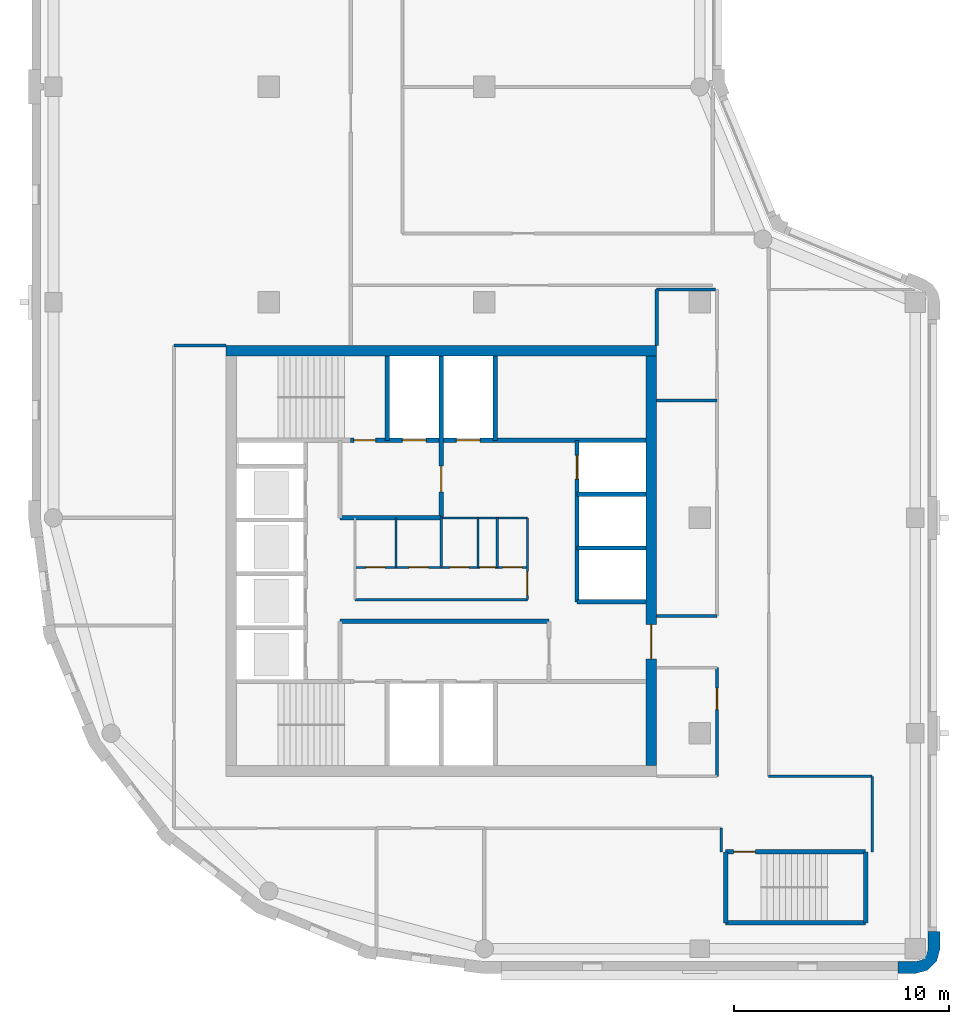
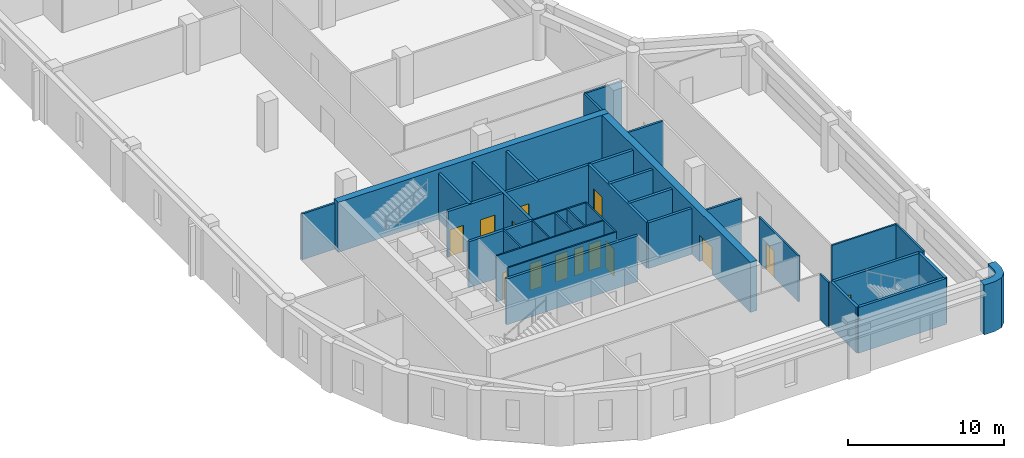
# One storey, part 3 of 8: 34 walls, 14 doors, 14 openings.
"""IFC4 building model written with IfcOpenShell, lengths in metres."""

from ifc_helpers import new_model, si_unit, direction, frame, frame_2d, origin, place, context, subcontext, project, spatial, polyline, rectangle, outline, extrude, material, layer, layer_set, type_object, element, fill, save


model = new_model("IFC4")

# Units and contexts
model_context = context("Model", 3, precision=1e-05, world=origin(), true_north=direction((0.0, 1.0)))
body_context = subcontext(model_context, "Body", "Model", "MODEL_VIEW")
ifc_project = project(units=[si_unit("LENGTHUNIT", "METRE"), si_unit("AREAUNIT", "SQUARE_METRE"), si_unit("VOLUMEUNIT", "CUBIC_METRE"), si_unit("PLANEANGLEUNIT", "RADIAN"), si_unit("MASSUNIT", "GRAM", prefix="KILO")], contexts=[model_context])

# Site, building, storey
site_placement = place(None, origin())
site = spatial("IfcSite", under=ifc_project, at=site_placement, CompositionType="ELEMENT")
building_placement = place(site_placement, origin())
building = spatial("IfcBuilding", under=site, at=building_placement, Name="Qaws Garden Tower", CompositionType="ELEMENT")
storey_placement = place(building_placement, frame((0.0, 0.0, 302.10009765625)))
storey = spatial("IfcBuildingStorey", under=building, at=storey_placement, Name="L73", CompositionType="ELEMENT", Elevation=302.10009765625)

# Walls
ifc_material_1 = material(Name="Clay facing brick masonry", Category="masonry")
ifc_layer_1 = layer(ifc_material_1, 0.550048828125)
ifc_layer_set_1 = layer_set([ifc_layer_1], Name="Clay facing brick masonry")
wall_type_1 = type_object("IfcWallType", Name="Brick corner pier 550 x 2400", PredefinedType="SOLIDWALL", material=ifc_layer_set_1)
wall_1_placement = place(storey_placement, origin())
element("IfcWall", 1, at=wall_1_placement, inside=storey, type_object=wall_type_1, Name="E-L73-pier-02", PredefinedType="SOLIDWALL", context=body_context, shape_type="SweptSolid", body=[
    extrude(outline(polyline([(39.199951171875, -1.0), (39.199951171875, -1.14990234375), (40.0, -1.14990234375), (40.574951171875, -0.995849609375), (40.995849609375, -0.574951171875), (41.14990234375, 0.0), (41.14990234375, 0.800048828125), (41.0, 0.800048828125), (40.60009765625, 0.800048828125), (40.60009765625, 0.0), (40.51953125, -0.300048828125), (40.300048828125, -0.51953125), (40.0, -0.60009765625), (39.199951171875, -0.60009765625), (39.199951171875, -1.0)])), origin(), (0.0, 0.0, 1.0), 3.89990234375),
])
ifc_material_2 = material(Name="Plasterboard")
ifc_layer_2 = layer(ifc_material_2, 0.10009765625)
ifc_layer_set_2 = layer_set([ifc_layer_2], Name="Plasterboard")
wall_type_2 = type_object("IfcWallType", Name="Core partition 100", PredefinedType="PARTITIONING", material=ifc_layer_set_2)
wall_2_placement = place(storey_placement, frame((14.0, 16.199951171875, 0.0), z_axis=(0.0, 0.0, 1.0), x_axis=(1.0, 0.0, 0.0)))
element("IfcWall", 2, at=wall_2_placement, inside=storey, type_object=wall_type_2, Name="Core partition", PredefinedType="PARTITIONING", context=body_context, shape_type="SweptSolid", body=[
    extrude(rectangle(XDim=8.0, YDim=0.10009765625, at=frame_2d((4.0, 0.0))), origin(), (0.0, 0.0, 1.0), 3.579833984375),
])

# Wall, openings, doors
wall_3_placement = place(storey_placement, frame((14.0, 17.699951171875, 0.0), z_axis=(0.0, 0.0, 1.0), x_axis=(1.0, 0.0, 0.0)))
wall_3 = element("IfcWall", 3, at=wall_3_placement, inside=storey, type_object=wall_type_2, Name="Core partition", PredefinedType="PARTITIONING", context=body_context, shape_type="SweptSolid", body=[
    extrude(rectangle(XDim=8.0, YDim=0.10009765625, at=frame_2d((4.0, 0.0))), origin(), (0.0, 0.0, 1.0), 3.579833984375),
])
opening_1_placement = place(wall_3_placement, frame((0.5, 0.0, 0.0)))
opening_1 = element("IfcOpeningElement", 4, at=opening_1_placement, cuts=wall_3, Name="Opening WD18", PredefinedType="OPENING", context=body_context, shape_type="SweptSolid", body=[
    extrude(rectangle(XDim=0.89990234375, YDim=2.10009765625, at=frame_2d((0.449951171875, 1.050048828125))), frame((0.0, 0.06005859375, 0.0), z_axis=(0.0, -1.0, 0.0), x_axis=(1.0, 0.0, 0.0)), (0.0, 0.0, 1.0), 0.1201171875),
])
opening_2_placement = place(wall_3_placement, frame((2.5, 0.0, 0.0)))
opening_2 = element("IfcOpeningElement", 5, at=opening_2_placement, cuts=wall_3, Name="Opening WD19", PredefinedType="OPENING", context=body_context, shape_type="SweptSolid", body=[
    extrude(rectangle(XDim=0.89990234375, YDim=2.10009765625, at=frame_2d((0.449951171875, 1.050048828125))), frame((0.0, 0.06005859375, 0.0), z_axis=(0.0, -1.0, 0.0), x_axis=(1.0, 0.0, 0.0)), (0.0, 0.0, 1.0), 0.1201171875),
])
opening_3_placement = place(wall_3_placement, frame((4.39990234375, 0.0, 0.0)))
opening_3 = element("IfcOpeningElement", 6, at=opening_3_placement, cuts=wall_3, Name="Opening WD20", PredefinedType="OPENING", context=body_context, shape_type="SweptSolid", body=[
    extrude(rectangle(XDim=0.89990234375, YDim=2.10009765625, at=frame_2d((0.449951171875, 1.050048828125))), frame((0.0, 0.06005859375, 0.0), z_axis=(0.0, -1.0, 0.0), x_axis=(1.0, 0.0, 0.0)), (0.0, 0.0, 1.0), 0.1201171875),
])
opening_4_placement = place(wall_3_placement, frame((5.800048828125, 0.0, 0.0)))
opening_4 = element("IfcOpeningElement", 7, at=opening_4_placement, cuts=wall_3, Name="Opening XD21", PredefinedType="OPENING", context=body_context, shape_type="SweptSolid", body=[
    extrude(rectangle(XDim=0.699951171875, YDim=2.10009765625, at=frame_2d((0.35009765625, 1.050048828125))), frame((0.0, 0.06005859375, 0.0), z_axis=(0.0, -1.0, 0.0), x_axis=(1.0, 0.0, 0.0)), (0.0, 0.0, 1.0), 0.1201171875),
])
opening_5_placement = place(wall_3_placement, frame((6.85009765625, 0.0, 0.0)))
opening_5 = element("IfcOpeningElement", 8, at=opening_5_placement, cuts=wall_3, Name="Opening WD22", PredefinedType="OPENING", context=body_context, shape_type="SweptSolid", body=[
    extrude(rectangle(XDim=0.89990234375, YDim=2.10009765625, at=frame_2d((0.449951171875, 1.050048828125))), frame((0.0, 0.06005859375, 0.0), z_axis=(0.0, -1.0, 0.0), x_axis=(1.0, 0.0, 0.0)), (0.0, 0.0, 1.0), 0.1201171875),
])
ifc_material_3 = material(Name="Timber", Category="wood")
door_type_1 = type_object("IfcDoorType", Name="Store door 700x2100", OperationType="SINGLE_SWING_LEFT", PredefinedType="DOOR", material=ifc_material_3)
door_1_placement = place(opening_4_placement, origin())
door_1 = element("IfcDoor", 9, at=door_1_placement, inside=storey, type_object=door_type_1, Name="Cleaner's store door", OperationType="SINGLE_SWING_RIGHT", OverallHeight=2.10009765625, OverallWidth=0.699951171875, PredefinedType="DOOR", context=body_context, shape_type="SweptSolid", body=[
    extrude(rectangle(XDim=0.699951171875, YDim=2.10009765625, at=frame_2d((0.35009765625, 1.050048828125))), frame((0.0, 0.02490234375, 0.0), z_axis=(0.0, -1.0, 0.0), x_axis=(1.0, 0.0, 0.0)), (0.0, 0.0, 1.0), 0.050048828125),
])
fill(opening_4, door_1)
ifc_material_4 = material(Name="Timber", Category="wood")
door_type_2 = type_object("IfcDoorType", Name="WC door 900x2100", OperationType="SINGLE_SWING_LEFT", PredefinedType="DOOR", material=ifc_material_4)
door_2_placement = place(opening_1_placement, origin())
door_2 = element("IfcDoor", 10, at=door_2_placement, inside=storey, type_object=door_type_2, Name="Men's WC door", OperationType="SINGLE_SWING_RIGHT", OverallHeight=2.10009765625, OverallWidth=0.89990234375, PredefinedType="DOOR", context=body_context, shape_type="SweptSolid", body=[
    extrude(rectangle(XDim=0.89990234375, YDim=2.10009765625, at=frame_2d((0.449951171875, 1.050048828125))), frame((0.0, 0.02490234375, 0.0), z_axis=(0.0, -1.0, 0.0), x_axis=(1.0, 0.0, 0.0)), (0.0, 0.0, 1.0), 0.050048828125),
])
fill(opening_1, door_2)
door_3_placement = place(opening_2_placement, origin())
door_3 = element("IfcDoor", 11, at=door_3_placement, inside=storey, type_object=door_type_2, Name="Women's WC door", OperationType="SINGLE_SWING_RIGHT", OverallHeight=2.10009765625, OverallWidth=0.89990234375, PredefinedType="DOOR", context=body_context, shape_type="SweptSolid", body=[
    extrude(rectangle(XDim=0.89990234375, YDim=2.10009765625, at=frame_2d((0.449951171875, 1.050048828125))), frame((0.0, 0.02490234375, 0.0), z_axis=(0.0, -1.0, 0.0), x_axis=(1.0, 0.0, 0.0)), (0.0, 0.0, 1.0), 0.050048828125),
])
fill(opening_2, door_3)
door_4_placement = place(opening_3_placement, origin())
door_4 = element("IfcDoor", 12, at=door_4_placement, inside=storey, type_object=door_type_2, Name="Accessible WC door", OperationType="SINGLE_SWING_RIGHT", OverallHeight=2.10009765625, OverallWidth=0.89990234375, PredefinedType="DOOR", context=body_context, shape_type="SweptSolid", body=[
    extrude(rectangle(XDim=0.89990234375, YDim=2.10009765625, at=frame_2d((0.449951171875, 1.050048828125))), frame((0.0, 0.02490234375, 0.0), z_axis=(0.0, -1.0, 0.0), x_axis=(1.0, 0.0, 0.0)), (0.0, 0.0, 1.0), 0.050048828125),
])
fill(opening_3, door_4)
door_5_placement = place(opening_5_placement, origin())
door_5 = element("IfcDoor", 13, at=door_5_placement, inside=storey, type_object=door_type_2, Name="Linen store door", OperationType="SINGLE_SWING_RIGHT", OverallHeight=2.10009765625, OverallWidth=0.89990234375, PredefinedType="DOOR", context=body_context, shape_type="SweptSolid", body=[
    extrude(rectangle(XDim=0.89990234375, YDim=2.10009765625, at=frame_2d((0.449951171875, 1.050048828125))), frame((0.0, 0.02490234375, 0.0), z_axis=(0.0, -1.0, 0.0), x_axis=(1.0, 0.0, 0.0)), (0.0, 0.0, 1.0), 0.050048828125),
])
fill(opening_5, door_5)

# Walls
wall_4_placement = place(storey_placement, frame((18.0, 20.0, 0.0), z_axis=(0.0, 0.0, 1.0), x_axis=(1.0, 0.0, 0.0)))
element("IfcWall", 14, at=wall_4_placement, inside=storey, type_object=wall_type_2, Name="Core partition", PredefinedType="PARTITIONING", context=body_context, shape_type="SweptSolid", body=[
    extrude(rectangle(XDim=4.0, YDim=0.10009765625, at=frame_2d((2.0, 0.0))), origin(), (0.0, 0.0, 1.0), 3.579833984375),
])
for number, where, z_axis, x_axis, name in (
    (15, (15.89990234375, 17.699951171875, 0.0), (0.0, 0.0, 1.0), (0.0, 1.0, 0.0), "Core partition"),
    (16, (18.0, 17.699951171875, 0.0), (0.0, 0.0, 1.0), (0.0, 1.0, 0.0), "Core partition"),
    (17, (19.699951171875, 17.699951171875, 0.0), (0.0, 0.0, 1.0), (0.0, 1.0, 0.0), "Core partition"),
    (18, (20.60009765625, 17.699951171875, 0.0), (0.0, 0.0, 1.0), (0.0, 1.0, 0.0), "Core partition"),
):
    element("IfcWall", number, at=place(storey_placement, frame(where, z_axis=z_axis, x_axis=x_axis)), inside=storey, type_object=wall_type_2, Name=name, PredefinedType="PARTITIONING", context=body_context, shape_type="SweptSolid", body=[
        extrude(rectangle(XDim=2.300048828125, YDim=0.10009765625, at=frame_2d((1.14990234375, 0.0))), origin(), (0.0, 0.0, 1.0), 3.579833984375),
    ])

# Wall, opening, door
wall_5_placement = place(storey_placement, frame((22.0, 16.199951171875, 0.0), z_axis=(0.0, 0.0, 1.0), x_axis=(0.0, 1.0, 0.0)))
wall_5 = element("IfcWall", 19, at=wall_5_placement, inside=storey, type_object=wall_type_2, Name="Core partition", PredefinedType="PARTITIONING", context=body_context, shape_type="SweptSolid", body=[
    extrude(rectangle(XDim=3.800048828125, YDim=0.10009765625, at=frame_2d((1.89990234375, 0.0))), origin(), (0.0, 0.0, 1.0), 3.579833984375),
])
opening_6_placement = place(wall_5_placement, frame((0.199951171875, 0.0, 0.0)))
opening_6 = element("IfcOpeningElement", 20, at=opening_6_placement, cuts=wall_5, Name="Opening WL17", PredefinedType="OPENING", context=body_context, shape_type="SweptSolid", body=[
    extrude(rectangle(XDim=1.10009765625, YDim=2.10009765625, at=frame_2d((0.550048828125, 1.050048828125))), frame((0.0, 0.06005859375, 0.0), z_axis=(0.0, -1.0, 0.0), x_axis=(1.0, 0.0, 0.0)), (0.0, 0.0, 1.0), 0.1201171875),
])
ifc_material_5 = material(Name="Timber", Category="wood")
door_type_3 = type_object("IfcDoorType", Name="WC lobby door 1100x2100", OperationType="SINGLE_SWING_LEFT", PredefinedType="DOOR", material=ifc_material_5)
door_6_placement = place(opening_6_placement, origin())
door_6 = element("IfcDoor", 21, at=door_6_placement, inside=storey, type_object=door_type_3, Name="WC lobby door", OperationType="SINGLE_SWING_RIGHT", OverallHeight=2.10009765625, OverallWidth=1.10009765625, PredefinedType="DOOR", context=body_context, shape_type="SweptSolid", body=[
    extrude(rectangle(XDim=1.10009765625, YDim=2.10009765625, at=frame_2d((0.550048828125, 1.050048828125))), frame((0.0, 0.02490234375, 0.0), z_axis=(0.0, -1.0, 0.0), x_axis=(1.0, 0.0, 0.0)), (0.0, 0.0, 1.0), 0.050048828125),
])
fill(opening_6, door_6)

# Wall
ifc_material_6 = material(Name="Concrete C60", Category="concrete")
ifc_layer_3 = layer(ifc_material_6, 0.199951171875)
ifc_layer_set_3 = layer_set([ifc_layer_3], Name="Concrete C60")
wall_type_3 = type_object("IfcWallType", Name="Core shaft wall 200 C60", PredefinedType="SHEAR", material=ifc_layer_set_3)
wall_6_placement = place(storey_placement, frame((31.199951171875, 1.199951171875, 0.0), z_axis=(0.0, 0.0, 1.0), x_axis=(1.0, 0.0, 0.0)))
element("IfcWall", 22, at=wall_6_placement, inside=storey, type_object=wall_type_3, Name="Shaft wall", PredefinedType="SHEAR", context=body_context, shape_type="SweptSolid", body=[
    extrude(rectangle(XDim=6.5, YDim=0.199951171875, at=frame_2d((3.25, 0.0))), origin(), (0.0, 0.0, 1.0), 3.579833984375),
])

# Wall, opening, door
wall_7_placement = place(storey_placement, frame((31.199951171875, 4.5, 0.0), z_axis=(0.0, 0.0, 1.0), x_axis=(1.0, 0.0, 0.0)))
wall_7 = element("IfcWall", 23, at=wall_7_placement, inside=storey, type_object=wall_type_3, Name="Shaft wall", PredefinedType="SHEAR", context=body_context, shape_type="SweptSolid", body=[
    extrude(rectangle(XDim=6.5, YDim=0.199951171875, at=frame_2d((3.25, 0.0))), origin(), (0.0, 0.0, 1.0), 3.579833984375),
])
opening_7_placement = place(wall_7_placement, frame((0.375, 0.0, 0.0)))
opening_7 = element("IfcOpeningElement", 24, at=opening_7_placement, cuts=wall_7, Name="Opening SD12", PredefinedType="OPENING", context=body_context, shape_type="SweptSolid", body=[
    extrude(rectangle(XDim=1.0, YDim=2.10009765625, at=frame_2d((0.5, 1.050048828125))), frame((0.0, 0.10986328125, 0.0), z_axis=(0.0, -1.0, 0.0), x_axis=(1.0, 0.0, 0.0)), (0.0, 0.0, 1.0), 0.219970703125),
])
ifc_material_7 = material(Name="Steel S235", Category="steel")
door_type_4 = type_object("IfcDoorType", Name="Stair door 1000x2100", OperationType="SINGLE_SWING_RIGHT", PredefinedType="DOOR", material=ifc_material_7)
door_7_placement = place(opening_7_placement, frame((1.0, 0.0, 0.0), z_axis=(0.0, 0.0, 1.0), x_axis=(-1.0, 0.0, 0.0)))
door_7 = element("IfcDoor", 25, at=door_7_placement, inside=storey, type_object=door_type_4, Name="Stair 5 door", OperationType="SINGLE_SWING_RIGHT", OverallHeight=2.10009765625, OverallWidth=1.0, PredefinedType="DOOR", context=body_context, shape_type="SweptSolid", body=[
    extrude(rectangle(XDim=1.0, YDim=2.10009765625, at=frame_2d((0.5, 1.050048828125))), frame((0.0, 0.02490234375, 0.0), z_axis=(0.0, -1.0, 0.0), x_axis=(1.0, 0.0, 0.0)), (0.0, 0.0, 1.0), 0.050048828125),
])
fill(opening_7, door_7)

# Walls
wall_8_placement = place(storey_placement, frame((13.300048828125, 15.199951171875, 0.0), z_axis=(0.0, 0.0, 1.0), x_axis=(1.0, 0.0, 0.0)))
element("IfcWall", 26, at=wall_8_placement, inside=storey, type_object=wall_type_3, Name="Shaft wall", PredefinedType="SHEAR", context=body_context, shape_type="SweptSolid", body=[
    extrude(rectangle(XDim=9.699951171875, YDim=0.199951171875, at=frame_2d((4.85009765625, 0.0))), origin(), (0.0, 0.0, 1.0), 3.579833984375),
])
for number, where, z_axis, x_axis, name in (
    (27, (24.300048828125, 16.10009765625, 0.0), (0.0, 0.0, 1.0), (1.0, 0.0, 0.0), "Shaft wall"),
    (28, (24.300048828125, 18.60009765625, 0.0), (0.0, 0.0, 1.0), (1.0, 0.0, 0.0), "Shaft wall"),
):
    element("IfcWall", number, at=place(storey_placement, frame(where, z_axis=z_axis, x_axis=x_axis)), inside=storey, type_object=wall_type_3, Name=name, PredefinedType="SHEAR", context=body_context, shape_type="SweptSolid", body=[
        extrude(rectangle(XDim=3.199951171875, YDim=0.199951171875, at=frame_2d((1.60009765625, 0.0))), origin(), (0.0, 0.0, 1.0), 3.579833984375),
    ])
wall_9_placement = place(storey_placement, frame((13.300048828125, 20.0, 0.0), z_axis=(0.0, 0.0, 1.0), x_axis=(1.0, 0.0, 0.0)))
element("IfcWall", 29, at=wall_9_placement, inside=storey, type_object=wall_type_3, Name="Shaft wall", PredefinedType="SHEAR", context=body_context, shape_type="SweptSolid", body=[
    extrude(rectangle(XDim=4.699951171875, YDim=0.199951171875, at=frame_2d((2.35009765625, 0.0))), origin(), (0.0, 0.0, 1.0), 3.579833984375),
])
wall_10_placement = place(storey_placement, frame((24.300048828125, 21.10009765625, 0.0), z_axis=(0.0, 0.0, 1.0), x_axis=(1.0, 0.0, 0.0)))
element("IfcWall", 30, at=wall_10_placement, inside=storey, type_object=wall_type_3, Name="Shaft wall", PredefinedType="SHEAR", context=body_context, shape_type="SweptSolid", body=[
    extrude(rectangle(XDim=3.199951171875, YDim=0.199951171875, at=frame_2d((1.60009765625, 0.0))), origin(), (0.0, 0.0, 1.0), 3.579833984375),
])

# Wall, openings, doors
wall_11_placement = place(storey_placement, frame((13.800048828125, 23.60009765625, 0.0), z_axis=(0.0, 0.0, 1.0), x_axis=(1.0, 0.0, 0.0)))
wall_11 = element("IfcWall", 31, at=wall_11_placement, inside=storey, type_object=wall_type_3, Name="Shaft wall", PredefinedType="SHEAR", context=body_context, shape_type="SweptSolid", body=[
    extrude(rectangle(XDim=13.699951171875, YDim=0.199951171875, at=frame_2d((6.85009765625, 0.0))), origin(), (0.0, 0.0, 1.0), 3.579833984375),
])
opening_8_placement = place(wall_11_placement, frame((2.39990234375, 0.0, 0.0)))
opening_8 = element("IfcOpeningElement", 32, at=opening_8_placement, cuts=wall_11, Name="Opening LD08", PredefinedType="OPENING", context=body_context, shape_type="SweptSolid", body=[
    extrude(rectangle(XDim=1.10009765625, YDim=2.10009765625, at=frame_2d((0.550048828125, 1.050048828125))), frame((0.0, 0.10986328125, 0.0), z_axis=(0.0, -1.0, 0.0), x_axis=(1.0, 0.0, 0.0)), (0.0, 0.0, 1.0), 0.219970703125),
])
opening_9_placement = place(wall_11_placement, frame((4.89990234375, 0.0, 0.0)))
opening_9 = element("IfcOpeningElement", 33, at=opening_9_placement, cuts=wall_11, Name="Opening LD09", PredefinedType="OPENING", context=body_context, shape_type="SweptSolid", body=[
    extrude(rectangle(XDim=1.10009765625, YDim=2.10009765625, at=frame_2d((0.550048828125, 1.050048828125))), frame((0.0, 0.10986328125, 0.0), z_axis=(0.0, -1.0, 0.0), x_axis=(1.0, 0.0, 0.0)), (0.0, 0.0, 1.0), 0.219970703125),
])
opening_10_placement = place(wall_11_placement, frame((0.14990234375, 0.0, 0.0)))
opening_10 = element("IfcOpeningElement", 34, at=opening_10_placement, cuts=wall_11, Name="Opening SD11", PredefinedType="OPENING", context=body_context, shape_type="SweptSolid", body=[
    extrude(rectangle(XDim=1.0, YDim=2.10009765625, at=frame_2d((0.5, 1.050048828125))), frame((0.0, 0.10986328125, 0.0), z_axis=(0.0, -1.0, 0.0), x_axis=(1.0, 0.0, 0.0)), (0.0, 0.0, 1.0), 0.219970703125),
])
ifc_material_8 = material(Name="Steel S235", Category="steel")
door_type_5 = type_object("IfcDoorType", Name="Landing door 1100x2100", OperationType="DOUBLE_DOOR_SLIDING", PredefinedType="DOOR", material=ifc_material_8)
door_8_placement = place(opening_8_placement, origin())
door_8 = element("IfcDoor", 35, at=door_8_placement, inside=storey, type_object=door_type_5, Name="Lift FF3 landing door", OperationType="DOUBLE_DOOR_SLIDING", OverallHeight=2.10009765625, OverallWidth=1.10009765625, PredefinedType="DOOR", context=body_context, shape_type="SweptSolid", body=[
    extrude(rectangle(XDim=1.10009765625, YDim=2.10009765625, at=frame_2d((0.550048828125, 1.050048828125))), frame((0.0, 0.02490234375, 0.0), z_axis=(0.0, -1.0, 0.0), x_axis=(1.0, 0.0, 0.0)), (0.0, 0.0, 1.0), 0.050048828125),
])
fill(opening_8, door_8)
door_9_placement = place(opening_9_placement, origin())
door_9 = element("IfcDoor", 36, at=door_9_placement, inside=storey, type_object=door_type_5, Name="Lift SV2 landing door", OperationType="DOUBLE_DOOR_SLIDING", OverallHeight=2.10009765625, OverallWidth=1.10009765625, PredefinedType="DOOR", context=body_context, shape_type="SweptSolid", body=[
    extrude(rectangle(XDim=1.10009765625, YDim=2.10009765625, at=frame_2d((0.550048828125, 1.050048828125))), frame((0.0, 0.02490234375, 0.0), z_axis=(0.0, -1.0, 0.0), x_axis=(1.0, 0.0, 0.0)), (0.0, 0.0, 1.0), 0.050048828125),
])
fill(opening_9, door_9)
door_10_placement = place(opening_10_placement, origin())
door_10 = element("IfcDoor", 37, at=door_10_placement, inside=storey, type_object=door_type_4, Name="Stair 4 door", OperationType="SINGLE_SWING_RIGHT", OverallHeight=2.10009765625, OverallWidth=1.0, PredefinedType="DOOR", context=body_context, shape_type="SweptSolid", body=[
    extrude(rectangle(XDim=1.0, YDim=2.10009765625, at=frame_2d((0.5, 1.050048828125))), frame((0.0, 0.02490234375, 0.0), z_axis=(0.0, -1.0, 0.0), x_axis=(1.0, 0.0, 0.0)), (0.0, 0.0, 1.0), 0.050048828125),
])
fill(opening_10, door_10)

# Wall
wall_12_placement = place(storey_placement, frame((15.5, 23.60009765625, 0.0), z_axis=(0.0, 0.0, 1.0), x_axis=(0.0, 1.0, 0.0)))
element("IfcWall", 38, at=wall_12_placement, inside=storey, type_object=wall_type_3, Name="Shaft wall", PredefinedType="SHEAR", context=body_context, shape_type="SweptSolid", body=[
    extrude(rectangle(XDim=3.89990234375, YDim=0.199951171875, at=frame_2d((1.949951171875, 0.0))), origin(), (0.0, 0.0, 1.0), 3.579833984375),
])

# Wall, opening, door
wall_13_placement = place(storey_placement, frame((18.0, 20.0, 0.0), z_axis=(0.0, 0.0, 1.0), x_axis=(0.0, 1.0, 0.0)))
wall_13 = element("IfcWall", 39, at=wall_13_placement, inside=storey, type_object=wall_type_3, Name="Shaft wall", PredefinedType="SHEAR", context=body_context, shape_type="SweptSolid", body=[
    extrude(rectangle(XDim=7.5, YDim=0.199951171875, at=frame_2d((3.75, 0.0))), origin(), (0.0, 0.0, 1.0), 3.579833984375),
])
opening_11_placement = place(wall_13_placement, frame((1.199951171875, 0.0, 0.0)))
opening_11 = element("IfcOpeningElement", 40, at=opening_11_placement, cuts=wall_13, Name="Opening FD16", PredefinedType="OPENING", context=body_context, shape_type="SweptSolid", body=[
    extrude(rectangle(XDim=1.199951171875, YDim=2.10009765625, at=frame_2d((0.60009765625, 1.050048828125))), frame((0.0, 0.10986328125, 0.0), z_axis=(0.0, -1.0, 0.0), x_axis=(1.0, 0.0, 0.0)), (0.0, 0.0, 1.0), 0.219970703125),
])
ifc_material_9 = material(Name="Steel S235", Category="steel")
door_type_6 = type_object("IfcDoorType", Name="Lobby door 1200x2100", OperationType="DOUBLE_DOOR_SINGLE_SWING", PredefinedType="DOOR", material=ifc_material_9)
door_11_placement = place(opening_11_placement, origin())
door_11 = element("IfcDoor", 41, at=door_11_placement, inside=storey, type_object=door_type_6, Name="Fire-fighting lobby door", OperationType="DOUBLE_DOOR_SINGLE_SWING", OverallHeight=2.10009765625, OverallWidth=1.199951171875, PredefinedType="DOOR", context=body_context, shape_type="SweptSolid", body=[
    extrude(rectangle(XDim=1.199951171875, YDim=2.10009765625, at=frame_2d((0.60009765625, 1.050048828125))), frame((0.0, 0.02490234375, 0.0), z_axis=(0.0, -1.0, 0.0), x_axis=(1.0, 0.0, 0.0)), (0.0, 0.0, 1.0), 0.050048828125),
])
fill(opening_11, door_11)

# Wall
wall_14_placement = place(storey_placement, frame((20.5, 23.60009765625, 0.0), z_axis=(0.0, 0.0, 1.0), x_axis=(0.0, 1.0, 0.0)))
element("IfcWall", 42, at=wall_14_placement, inside=storey, type_object=wall_type_3, Name="Shaft wall", PredefinedType="SHEAR", context=body_context, shape_type="SweptSolid", body=[
    extrude(rectangle(XDim=3.89990234375, YDim=0.199951171875, at=frame_2d((1.949951171875, 0.0))), origin(), (0.0, 0.0, 1.0), 3.579833984375),
])

# Wall, opening, door
wall_15_placement = place(storey_placement, frame((24.300048828125, 16.10009765625, 0.0), z_axis=(0.0, 0.0, 1.0), x_axis=(0.0, 1.0, 0.0)))
wall_15 = element("IfcWall", 43, at=wall_15_placement, inside=storey, type_object=wall_type_3, Name="Shaft wall", PredefinedType="SHEAR", context=body_context, shape_type="SweptSolid", body=[
    extrude(rectangle(XDim=7.5, YDim=0.199951171875, at=frame_2d((3.75, 0.0))), origin(), (0.0, 0.0, 1.0), 3.579833984375),
])
opening_12_placement = place(wall_15_placement, frame((5.699951171875, 0.0, 0.0)))
opening_12 = element("IfcOpeningElement", 44, at=opening_12_placement, cuts=wall_15, Name="Opening LD05", PredefinedType="OPENING", context=body_context, shape_type="SweptSolid", body=[
    extrude(rectangle(XDim=1.10009765625, YDim=2.10009765625, at=frame_2d((0.550048828125, 1.050048828125))), frame((0.0, 0.10986328125, 0.0), z_axis=(0.0, -1.0, 0.0), x_axis=(1.0, 0.0, 0.0)), (0.0, 0.0, 1.0), 0.219970703125),
])
door_12_placement = place(opening_12_placement, origin())
door_12 = element("IfcDoor", 45, at=door_12_placement, inside=storey, type_object=door_type_5, Name="Lift E3 landing door", OperationType="DOUBLE_DOOR_SLIDING", OverallHeight=2.10009765625, OverallWidth=1.10009765625, PredefinedType="DOOR", context=body_context, shape_type="SweptSolid", body=[
    extrude(rectangle(XDim=1.10009765625, YDim=2.10009765625, at=frame_2d((0.550048828125, 1.050048828125))), frame((0.0, 0.02490234375, 0.0), z_axis=(0.0, -1.0, 0.0), x_axis=(1.0, 0.0, 0.0)), (0.0, 0.0, 1.0), 0.050048828125),
])
fill(opening_12, door_12)

# Walls
for number, where, z_axis, x_axis, name in (
    (46, (31.199951171875, 1.199951171875, 0.0), (0.0, 0.0, 1.0), (0.0, 1.0, 0.0), "Shaft wall"),
    (47, (37.699951171875, 1.199951171875, 0.0), (0.0, 0.0, 1.0), (0.0, 1.0, 0.0), "Shaft wall"),
):
    element("IfcWall", number, at=place(storey_placement, frame(where, z_axis=z_axis, x_axis=x_axis)), inside=storey, type_object=wall_type_3, Name=name, PredefinedType="SHEAR", context=body_context, shape_type="SweptSolid", body=[
        extrude(rectangle(XDim=3.300048828125, YDim=0.199951171875, at=frame_2d((1.64990234375, 0.0))), origin(), (0.0, 0.0, 1.0), 3.579833984375),
    ])

# Wall, opening, door
ifc_material_10 = material(Name="Concrete C60", Category="concrete")
ifc_layer_4 = layer(ifc_material_10, 0.5)
ifc_layer_set_4 = layer_set([ifc_layer_4], Name="Concrete C60")
wall_type_4 = type_object("IfcWallType", Name="Core wall 500 C60", PredefinedType="SHEAR", material=ifc_layer_set_4)
wall_16_placement = place(storey_placement, frame((27.75, 8.5, 0.0), z_axis=(0.0, 0.0, 1.0), x_axis=(0.0, 1.0, 0.0)))
wall_16 = element("IfcWall", 48, at=wall_16_placement, inside=storey, type_object=wall_type_4, Name="Core wall L73 east", PredefinedType="SHEAR", context=body_context, shape_type="SweptSolid", body=[
    extrude(rectangle(XDim=19.0, YDim=0.5, at=frame_2d((9.5, 0.0))), origin(), (0.0, 0.0, 1.0), 3.89990234375),
])
opening_13_placement = place(wall_16_placement, frame((4.949951171875, 0.0, 0.0)))
opening_13 = element("IfcOpeningElement", 49, at=opening_13_placement, cuts=wall_16, Name="Opening ED23", PredefinedType="OPENING", context=body_context, shape_type="SweptSolid", body=[
    extrude(rectangle(XDim=1.60009765625, YDim=2.10009765625, at=frame_2d((0.800048828125, 1.050048828125))), frame((0.0, 0.260009765625, 0.0), z_axis=(0.0, -1.0, 0.0), x_axis=(1.0, 0.0, 0.0)), (0.0, 0.0, 1.0), 0.52001953125),
])
ifc_material_11 = material(Name="Steel S235", Category="steel")
door_type_7 = type_object("IfcDoorType", Name="Core entrance door 1600x2100", OperationType="DOUBLE_DOOR_SINGLE_SWING", PredefinedType="DOOR", material=ifc_material_11)
door_13_placement = place(opening_13_placement, origin())
door_13 = element("IfcDoor", 50, at=door_13_placement, inside=storey, type_object=door_type_7, Name="Core entrance door", OperationType="DOUBLE_DOOR_SINGLE_SWING", OverallHeight=2.10009765625, OverallWidth=1.60009765625, PredefinedType="DOOR", context=body_context, shape_type="SweptSolid", body=[
    extrude(rectangle(XDim=1.60009765625, YDim=2.10009765625, at=frame_2d((0.800048828125, 1.050048828125))), frame((0.0, 0.02490234375, 0.0), z_axis=(0.0, -1.0, 0.0), x_axis=(1.0, 0.0, 0.0)), (0.0, 0.0, 1.0), 0.050048828125),
])
fill(opening_13, door_13)

# Wall
wall_17_placement = place(storey_placement, frame((28.0, 27.75, 0.0), z_axis=(0.0, 0.0, 1.0), x_axis=(-1.0, 0.0, 0.0)))
element("IfcWall", 51, at=wall_17_placement, inside=storey, type_object=wall_type_4, Name="Core wall L73 north", PredefinedType="SHEAR", context=body_context, shape_type="SweptSolid", body=[
    extrude(rectangle(XDim=20.0, YDim=0.5, at=frame_2d((10.0, 0.0))), origin(), (0.0, 0.0, 1.0), 3.89990234375),
])

# Wall, opening, door
ifc_material_12 = material(Name="Glass and aluminium framing", Category="aluminium")
ifc_layer_5 = layer(ifc_material_12, 0.1201171875)
ifc_layer_set_5 = layer_set([ifc_layer_5], Name="Glass and aluminium framing")
wall_type_5 = type_object("IfcWallType", Name="GLAZED PARTITION 120 EI 30", PredefinedType="PARTITIONING", material=ifc_layer_set_5)
wall_18_placement = place(storey_placement, frame((30.800048828125, 8.0, 0.0), z_axis=(0.0, 0.0, 1.0), x_axis=(0.0, 1.0, 0.0)))
wall_18 = element("IfcWall", 52, at=wall_18_placement, inside=storey, type_object=wall_type_5, Name="O-L73-wall-037", PredefinedType="PARTITIONING", context=body_context, shape_type="SweptSolid", body=[
    extrude(rectangle(XDim=5.050048828125, YDim=0.1201171875, at=frame_2d((2.52490234375, 0.0))), origin(), (0.0, 0.0, 1.0), 3.579833984375),
])
opening_14_placement = place(wall_18_placement, frame((3.10009765625, 0.0, 0.0)))
opening_14 = element("IfcOpeningElement", 53, at=opening_14_placement, cuts=wall_18, Name="Opening C614", PredefinedType="OPENING", context=body_context, shape_type="SweptSolid", body=[
    extrude(rectangle(XDim=1.0, YDim=2.10009765625, at=frame_2d((0.5, 1.050048828125))), frame((0.0, 0.070068359375, 0.0), z_axis=(0.0, -1.0, 0.0), x_axis=(1.0, 0.0, 0.0)), (0.0, 0.0, 1.0), 0.14013671875),
])
ifc_material_13 = material(Name="Timber door leaf", Category="wood")
door_type_8 = type_object("IfcDoorType", Name="TENANCY ENTRANCE DOOR 1000 X 2100", OperationType="SINGLE_SWING_LEFT", PredefinedType="DOOR", material=ifc_material_13)
door_14_placement = place(opening_14_placement, origin())
door_14 = element("IfcDoor", 54, at=door_14_placement, inside=storey, type_object=door_type_8, Name="O-L73-door-014", OperationType="SINGLE_SWING_RIGHT", OverallHeight=2.10009765625, OverallWidth=1.0, PredefinedType="DOOR", context=body_context, shape_type="SweptSolid", body=[
    extrude(rectangle(XDim=1.0, YDim=2.10009765625, at=frame_2d((0.5, 1.050048828125))), frame((0.0, 0.02490234375, 0.0), z_axis=(0.0, -1.0, 0.0), x_axis=(1.0, 0.0, 0.0)), (0.0, 0.0, 1.0), 0.050048828125),
])
fill(opening_14, door_14)

# Walls
wall_19_placement = place(storey_placement, frame((31.0, 4.5, 0.0), z_axis=(0.0, 0.0, 1.0), x_axis=(0.0, 1.0, 0.0)))
element("IfcWall", 55, at=wall_19_placement, inside=storey, type_object=wall_type_5, Name="O-L73-wall-038", PredefinedType="PARTITIONING", context=body_context, shape_type="SweptSolid", body=[
    extrude(rectangle(XDim=1.10009765625, YDim=0.1201171875, at=frame_2d((0.550048828125, 0.0))), origin(), (0.0, 0.0, 1.0), 3.579833984375),
])
wall_20_placement = place(storey_placement, frame((38.0, 4.5, 0.0), z_axis=(0.0, 0.0, 1.0), x_axis=(0.0, 1.0, 0.0)))
element("IfcWall", 56, at=wall_20_placement, inside=storey, type_object=wall_type_5, Name="O-L73-wall-040", PredefinedType="PARTITIONING", context=body_context, shape_type="SweptSolid", body=[
    extrude(rectangle(XDim=3.5, YDim=0.1201171875, at=frame_2d((1.75, 0.0))), origin(), (0.0, 0.0, 1.0), 3.579833984375),
])
wall_21_placement = place(storey_placement, frame((33.199951171875, 8.0, 0.0), z_axis=(0.0, 0.0, 1.0), x_axis=(1.0, 0.0, 0.0)))
element("IfcWall", 57, at=wall_21_placement, inside=storey, type_object=wall_type_5, Name="O-L73-wall-044", PredefinedType="PARTITIONING", context=body_context, shape_type="SweptSolid", body=[
    extrude(rectangle(XDim=4.800048828125, YDim=0.1201171875, at=frame_2d((2.39990234375, 0.0))), origin(), (0.0, 0.0, 1.0), 3.579833984375),
])
ifc_material_14 = material(Name="Gypsum board partition")
ifc_layer_6 = layer(ifc_material_14, 0.14990234375)
ifc_layer_set_6 = layer_set([ifc_layer_6], Name="Gypsum board partition")
wall_type_6 = type_object("IfcWallType", Name="PARTITION 150 EI 60", PredefinedType="PARTITIONING", material=ifc_layer_set_6)
wall_22_placement = place(storey_placement, frame((28.0, 28.0, 0.0), z_axis=(0.0, 0.0, 1.0), x_axis=(0.0, 1.0, 0.0)))
element("IfcWall", 58, at=wall_22_placement, inside=storey, type_object=wall_type_6, Name="O-L73-wall-012", PredefinedType="PARTITIONING", context=body_context, shape_type="SweptSolid", body=[
    extrude(rectangle(XDim=2.597900390625, YDim=0.14990234375, at=frame_2d((1.298828125, 0.0))), origin(), (0.0, 0.0, 1.0), 3.579833984375),
])
for number, where, z_axis, x_axis, name in (
    (59, (28.0, 15.449951171875, 0.0), (0.0, 0.0, 1.0), (1.0, 0.0, 0.0), "O-L73-wall-018"),
    (60, (28.0, 25.449951171875, 0.0), (0.0, 0.0, 1.0), (1.0, 0.0, 0.0), "O-L73-wall-020"),
):
    element("IfcWall", number, at=place(storey_placement, frame(where, z_axis=z_axis, x_axis=x_axis)), inside=storey, type_object=wall_type_6, Name=name, PredefinedType="PARTITIONING", context=body_context, shape_type="SweptSolid", body=[
        extrude(rectangle(XDim=2.800048828125, YDim=0.14990234375, at=frame_2d((1.39990234375, 0.0))), origin(), (0.0, 0.0, 1.0), 3.579833984375),
    ])
wall_23_placement = place(storey_placement, frame((5.60009765625, 28.0, 0.0), z_axis=(0.0, 0.0, 1.0), x_axis=(1.0, 0.0, 0.0)))
element("IfcWall", 61, at=wall_23_placement, inside=storey, type_object=wall_type_6, Name="O-L73-wall-021", PredefinedType="PARTITIONING", context=body_context, shape_type="SweptSolid", body=[
    extrude(rectangle(XDim=2.39990234375, YDim=0.14990234375, at=frame_2d((1.199951171875, 0.0))), origin(), (0.0, 0.0, 1.0), 3.579833984375),
])
wall_24_placement = place(storey_placement, frame((28.001953125, 30.60009765625, 0.0), z_axis=(0.0, 0.0, 1.0), x_axis=(1.0, 0.0, 0.0)))
element("IfcWall", 62, at=wall_24_placement, inside=storey, type_object=wall_type_6, Name="O-L73-wall-022", PredefinedType="PARTITIONING", context=body_context, shape_type="SweptSolid", body=[
    extrude(rectangle(XDim=2.72314453125, YDim=0.14990234375, at=frame_2d((1.361572265625, 0.0))), origin(), (0.0, 0.0, 1.0), 3.579833984375),
])

save(model, "model.ifc")
